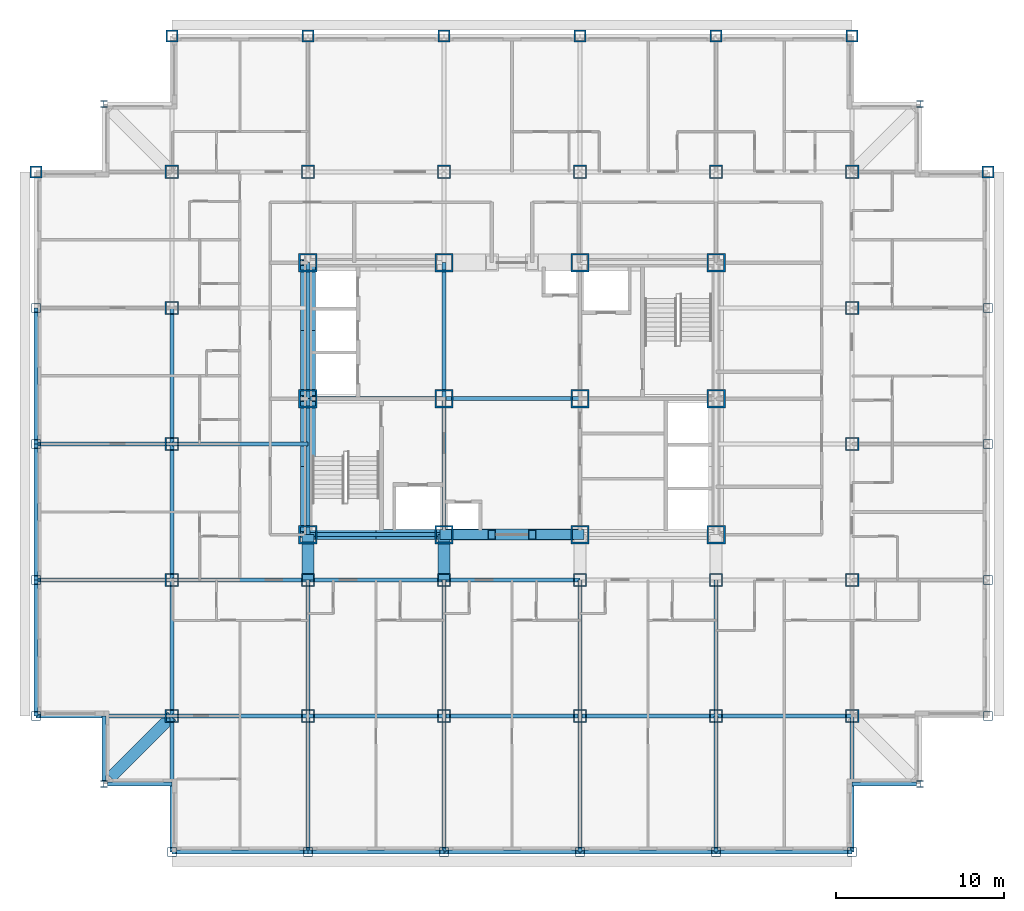
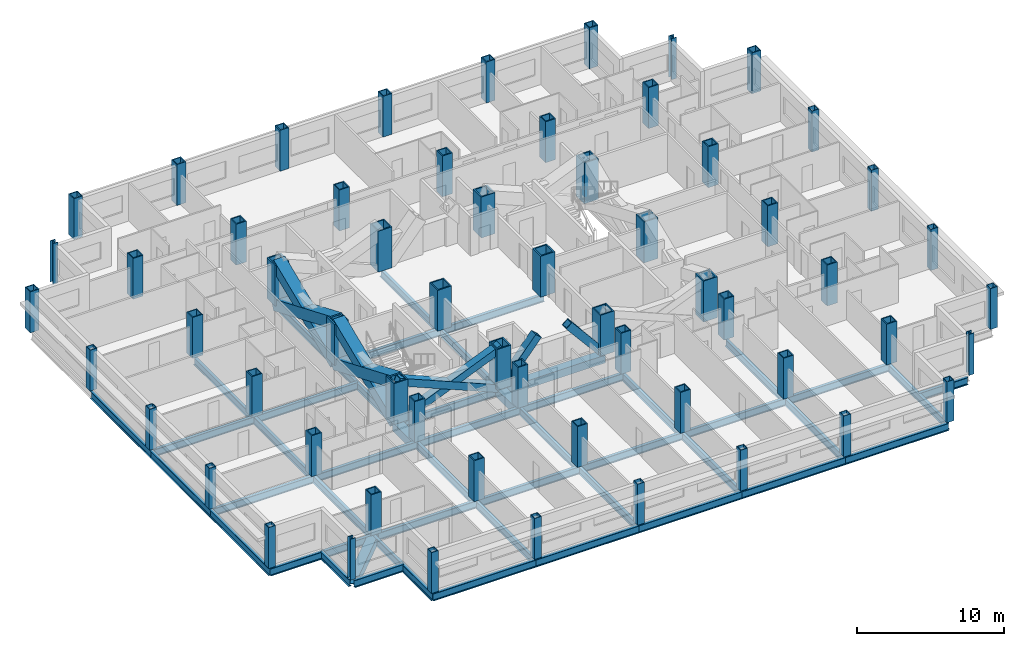
# One storey, part 1 of 12: 60 columns, 47 beams, 8 members.
"""IFC4 building model written with IfcOpenShell, lengths in metres."""

from ifc_helpers import new_model, si_unit, direction, frame, origin, origin_2d, place, context, subcontext, project, spatial, hollow_rectangle, i_section, extrude, material, material_profile, profile_set, type_object, element, save


model = new_model("IFC4")

# Units and contexts
model_context = context("Model", 3, precision=1e-05, world=origin(), true_north=direction((0.0, 1.0)))
body_context = subcontext(model_context, "Body", "Model", "MODEL_VIEW")
ifc_project = project(units=[si_unit("LENGTHUNIT", "METRE"), si_unit("AREAUNIT", "SQUARE_METRE"), si_unit("VOLUMEUNIT", "CUBIC_METRE"), si_unit("PLANEANGLEUNIT", "RADIAN"), si_unit("MASSUNIT", "GRAM", prefix="KILO")], contexts=[model_context])

# Site, building, storey
site_placement = place(None, origin())
site = spatial("IfcSite", under=ifc_project, at=site_placement, CompositionType="ELEMENT")
building_placement = place(site_placement, origin())
building = spatial("IfcBuilding", under=site, at=building_placement, Name="Kopane Lantern Tower", CompositionType="ELEMENT")
storey_placement = place(building_placement, frame((0.0, 0.0, 144.199951171875)))
storey = spatial("IfcBuildingStorey", under=building, at=storey_placement, Name="L37", CompositionType="ELEMENT", Elevation=144.199951171875)

# Columns
ifc_material_1 = material(Name="Steel S355JR", Category="steel")
ifc_material_profile_1 = material_profile(ifc_material_1, hollow_rectangle(XDim=1.10009765625, YDim=1.10009765625, WallThickness=0.10009765625, at=origin_2d()), Name="BOX 1100x1100x100")
ifc_profile_set_1 = profile_set([ifc_material_profile_1], Name="Steel S355JR")
column_type_1 = type_object("IfcColumnType", Name="COLUMN BOX 1100x1100x100", PredefinedType="COLUMN", material=ifc_profile_set_1)
for number, where, z_axis, x_axis, name in (
    (1, (16.199951171875, 24.300048828125, 0.0), (0.0, 0.0, 1.0), (1.0, 0.0, 0.0), "Column 4/E L37"),
    (2, (16.199951171875, 32.39990234375, 0.0), (0.0, 0.0, 1.0), (1.0, 0.0, 0.0), "Column 4/F L37"),
    (3, (16.199951171875, 40.5, 0.0), (0.0, 0.0, 1.0), (1.0, 0.0, 0.0), "Column 4/G L37"),
    (4, (24.300048828125, 24.300048828125, 0.0), (0.0, 0.0, 1.0), (1.0, 0.0, 0.0), "Column 5/E L37"),
    (5, (24.300048828125, 32.39990234375, 0.0), (0.0, 0.0, 1.0), (1.0, 0.0, 0.0), "Column 5/F L37"),
    (6, (24.300048828125, 40.5, 0.0), (0.0, 0.0, 1.0), (1.0, 0.0, 0.0), "Column 5/G L37"),
    (7, (32.39990234375, 24.300048828125, 0.0), (0.0, 0.0, 1.0), (1.0, 0.0, 0.0), "Column 6/E L37"),
    (8, (32.39990234375, 32.39990234375, 0.0), (0.0, 0.0, 1.0), (1.0, 0.0, 0.0), "Column 6/F L37"),
    (9, (32.39990234375, 40.5, 0.0), (0.0, 0.0, 1.0), (1.0, 0.0, 0.0), "Column 6/G L37"),
    (10, (40.5, 24.300048828125, 0.0), (0.0, 0.0, 1.0), (1.0, 0.0, 0.0), "Column 7/E L37"),
    (11, (40.5, 32.39990234375, 0.0), (0.0, 0.0, 1.0), (1.0, 0.0, 0.0), "Column 7/F L37"),
    (12, (40.5, 40.5, 0.0), (0.0, 0.0, 1.0), (1.0, 0.0, 0.0), "Column 7/G L37"),
):
    element("IfcColumn", number, at=place(storey_placement, frame(where, z_axis=z_axis, x_axis=x_axis)), inside=storey, type_object=column_type_1, Name=name, PredefinedType="COLUMN", context=body_context, shape_type="SweptSolid", body=[
        extrude(hollow_rectangle(XDim=1.10009765625, YDim=1.10009765625, WallThickness=0.10009765625, at=origin_2d()), origin(), (0.0, 0.0, 1.0), 3.400146484375),
    ])
ifc_material_2 = material(Name="Steel S355JR", Category="steel")
ifc_material_profile_2 = material_profile(ifc_material_2, hollow_rectangle(XDim=0.550048828125, YDim=0.550048828125, WallThickness=0.0400390625, at=origin_2d()), Name="BOX 550x550x40")
ifc_profile_set_2 = profile_set([ifc_material_profile_2], Name="Steel S355JR")
column_type_2 = type_object("IfcColumnType", Name="COLUMN BOX 550x550x40", PredefinedType="COLUMN", material=ifc_profile_set_2)
for number, where, z_axis, x_axis, name in (
    (13, (0.0, 13.5, 0.0), (0.0, 0.0, 1.0), (1.0, 0.0, 0.0), "Column 2/P2 L37"),
    (14, (0.0, 21.60009765625, 0.0), (0.0, 0.0, 1.0), (1.0, 0.0, 0.0), "Column 2/P3 L37"),
    (15, (0.0, 29.699951171875, 0.0), (0.0, 0.0, 1.0), (1.0, 0.0, 0.0), "Column 2/P4 L37"),
    (16, (0.0, 37.800048828125, 0.0), (0.0, 0.0, 1.0), (1.0, 0.0, 0.0), "Column 2/P5 L37"),
    (17, (8.10009765625, 5.39990234375, 0.0), (0.0, 0.0, 1.0), (1.0, 0.0, 0.0), "Column 3/P1 L37"),
    (18, (16.199951171875, 5.39990234375, 0.0), (0.0, 0.0, 1.0), (1.0, 0.0, 0.0), "Column 4/P1 L37"),
    (19, (24.300048828125, 5.39990234375, 0.0), (0.0, 0.0, 1.0), (1.0, 0.0, 0.0), "Column 5/P1 L37"),
    (20, (32.39990234375, 5.39990234375, 0.0), (0.0, 0.0, 1.0), (1.0, 0.0, 0.0), "Column 6/P1 L37"),
    (21, (40.5, 5.39990234375, 0.0), (0.0, 0.0, 1.0), (1.0, 0.0, 0.0), "Column 7/P1 L37"),
    (22, (48.60009765625, 5.39990234375, 0.0), (0.0, 0.0, 1.0), (1.0, 0.0, 0.0), "Column 8/P1 L37"),
    (23, (56.699951171875, 13.5, 0.0), (0.0, 0.0, 1.0), (1.0, 0.0, 0.0), "Column 9/P2 L37"),
    (24, (56.699951171875, 21.60009765625, 0.0), (0.0, 0.0, 1.0), (1.0, 0.0, 0.0), "Column 9/P3 L37"),
    (25, (56.699951171875, 29.699951171875, 0.0), (0.0, 0.0, 1.0), (1.0, 0.0, 0.0), "Column 9/P4 L37"),
    (26, (56.699951171875, 37.800048828125, 0.0), (0.0, 0.0, 1.0), (1.0, 0.0, 0.0), "Column 9/P5 L37"),
):
    element("IfcColumn", number, at=place(storey_placement, frame(where, z_axis=z_axis, x_axis=x_axis)), inside=storey, type_object=column_type_2, Name=name, PredefinedType="COLUMN", context=body_context, shape_type="SweptSolid", body=[
        extrude(hollow_rectangle(XDim=0.550048828125, YDim=0.550048828125, WallThickness=0.0400390625, at=origin_2d()), origin(), (0.0, 0.0, 1.0), 3.400146484375),
    ])
ifc_material_3 = material(Name="Steel S355JR", Category="steel")
ifc_material_profile_3 = material_profile(ifc_material_3, hollow_rectangle(XDim=0.699951171875, YDim=0.699951171875, WallThickness=0.070068359375, at=origin_2d()), Name="BOX 700x700x70")
ifc_profile_set_3 = profile_set([ifc_material_profile_3], Name="Steel S355JR")
column_type_3 = type_object("IfcColumnType", Name="COLUMN BOX 700x700x70", PredefinedType="COLUMN", material=ifc_profile_set_3)
for number, where, z_axis, x_axis, name in (
    (27, (0.0, 45.89990234375, 0.0), (0.0, 0.0, 1.0), (1.0, 0.0, 0.0), "Column 2/P6 L37"),
    (28, (8.10009765625, 54.0, 0.0), (0.0, 0.0, 1.0), (1.0, 0.0, 0.0), "Column 3/P7 L37"),
    (29, (16.199951171875, 54.0, 0.0), (0.0, 0.0, 1.0), (1.0, 0.0, 0.0), "Column 4/P7 L37"),
    (30, (24.300048828125, 54.0, 0.0), (0.0, 0.0, 1.0), (1.0, 0.0, 0.0), "Column 5/P7 L37"),
    (31, (32.39990234375, 54.0, 0.0), (0.0, 0.0, 1.0), (1.0, 0.0, 0.0), "Column 6/P7 L37"),
    (32, (40.5, 54.0, 0.0), (0.0, 0.0, 1.0), (1.0, 0.0, 0.0), "Column 7/P7 L37"),
    (33, (48.60009765625, 54.0, 0.0), (0.0, 0.0, 1.0), (1.0, 0.0, 0.0), "Column 8/P7 L37"),
    (34, (56.699951171875, 45.89990234375, 0.0), (0.0, 0.0, 1.0), (1.0, 0.0, 0.0), "Column 9/P6 L37"),
):
    element("IfcColumn", number, at=place(storey_placement, frame(where, z_axis=z_axis, x_axis=x_axis)), inside=storey, type_object=column_type_3, Name=name, PredefinedType="COLUMN", context=body_context, shape_type="SweptSolid", body=[
        extrude(hollow_rectangle(XDim=0.699951171875, YDim=0.699951171875, WallThickness=0.070068359375, at=origin_2d()), origin(), (0.0, 0.0, 1.0), 3.400146484375),
    ])
ifc_material_4 = material(Name="Steel S355JR", Category="steel")
ifc_material_profile_4 = material_profile(ifc_material_4, hollow_rectangle(XDim=0.800048828125, YDim=0.800048828125, WallThickness=0.080078125, at=origin_2d()), Name="BOX 800x800x80")
ifc_profile_set_4 = profile_set([ifc_material_profile_4], Name="Steel S355JR")
column_type_4 = type_object("IfcColumnType", Name="COLUMN BOX 800x800x80", PredefinedType="COLUMN", material=ifc_profile_set_4)
for number, where, z_axis, x_axis, name in (
    (35, (8.10009765625, 13.5, 0.0), (0.0, 0.0, 1.0), (1.0, 0.0, 0.0), "Column 3/P2 L37"),
    (36, (8.10009765625, 21.60009765625, 0.0), (0.0, 0.0, 1.0), (1.0, 0.0, 0.0), "Column 3/P3 L37"),
    (37, (8.10009765625, 29.699951171875, 0.0), (0.0, 0.0, 1.0), (1.0, 0.0, 0.0), "Column 3/P4 L37"),
    (38, (8.10009765625, 37.800048828125, 0.0), (0.0, 0.0, 1.0), (1.0, 0.0, 0.0), "Column 3/P5 L37"),
    (39, (8.10009765625, 45.89990234375, 0.0), (0.0, 0.0, 1.0), (1.0, 0.0, 0.0), "Column 3/P6 L37"),
    (40, (16.199951171875, 13.5, 0.0), (0.0, 0.0, 1.0), (1.0, 0.0, 0.0), "Column 4/P2 L37"),
    (41, (16.199951171875, 21.60009765625, 0.0), (0.0, 0.0, 1.0), (1.0, 0.0, 0.0), "Column 4/P3 L37"),
    (42, (16.199951171875, 45.89990234375, 0.0), (0.0, 0.0, 1.0), (1.0, 0.0, 0.0), "Column 4/P6 L37"),
    (43, (24.300048828125, 13.5, 0.0), (0.0, 0.0, 1.0), (1.0, 0.0, 0.0), "Column 5/P2 L37"),
    (44, (24.300048828125, 21.60009765625, 0.0), (0.0, 0.0, 1.0), (1.0, 0.0, 0.0), "Column 5/P3 L37"),
    (45, (24.300048828125, 45.89990234375, 0.0), (0.0, 0.0, 1.0), (1.0, 0.0, 0.0), "Column 5/P6 L37"),
    (46, (32.39990234375, 13.5, 0.0), (0.0, 0.0, 1.0), (1.0, 0.0, 0.0), "Column 6/P2 L37"),
    (47, (32.39990234375, 21.60009765625, 0.0), (0.0, 0.0, 1.0), (1.0, 0.0, 0.0), "Column 6/P3 L37"),
    (48, (32.39990234375, 45.89990234375, 0.0), (0.0, 0.0, 1.0), (1.0, 0.0, 0.0), "Column 6/P6 L37"),
    (49, (40.5, 13.5, 0.0), (0.0, 0.0, 1.0), (1.0, 0.0, 0.0), "Column 7/P2 L37"),
    (50, (40.5, 21.60009765625, 0.0), (0.0, 0.0, 1.0), (1.0, 0.0, 0.0), "Column 7/P3 L37"),
    (51, (40.5, 45.89990234375, 0.0), (0.0, 0.0, 1.0), (1.0, 0.0, 0.0), "Column 7/P6 L37"),
    (52, (48.60009765625, 13.5, 0.0), (0.0, 0.0, 1.0), (1.0, 0.0, 0.0), "Column 8/P2 L37"),
    (53, (48.60009765625, 21.60009765625, 0.0), (0.0, 0.0, 1.0), (1.0, 0.0, 0.0), "Column 8/P3 L37"),
    (54, (48.60009765625, 29.699951171875, 0.0), (0.0, 0.0, 1.0), (1.0, 0.0, 0.0), "Column 8/P4 L37"),
    (55, (48.60009765625, 37.800048828125, 0.0), (0.0, 0.0, 1.0), (1.0, 0.0, 0.0), "Column 8/P5 L37"),
    (56, (48.60009765625, 45.89990234375, 0.0), (0.0, 0.0, 1.0), (1.0, 0.0, 0.0), "Column 8/P6 L37"),
):
    element("IfcColumn", number, at=place(storey_placement, frame(where, z_axis=z_axis, x_axis=x_axis)), inside=storey, type_object=column_type_4, Name=name, PredefinedType="COLUMN", context=body_context, shape_type="SweptSolid", body=[
        extrude(hollow_rectangle(XDim=0.800048828125, YDim=0.800048828125, WallThickness=0.080078125, at=origin_2d()), origin(), (0.0, 0.0, 1.0), 3.400146484375),
    ])
ifc_material_5 = material(Name="Steel S355JR", Category="steel")
ifc_material_profile_5 = material_profile(ifc_material_5, i_section(OverallWidth=0.406982421875, OverallDepth=0.4189453125, WebThickness=0.030517578125, FlangeThickness=0.04931640625, FilletRadius=0.01513671875, at=origin_2d()), Name="UC 356x406x393")
ifc_profile_set_5 = profile_set([ifc_material_profile_5], Name="Steel S355JR")
column_type_5 = type_object("IfcColumnType", Name="COLUMN UC 356x406x393", PredefinedType="COLUMN", material=ifc_profile_set_5)
for number, where, z_axis, x_axis, name in (
    (57, (4.050048828125, 9.449951171875, 0.0), (0.0, 0.0, 1.0), (1.0, 0.0, 0.0), "Column 4.05/9.45 L37"),
    (58, (4.050048828125, 49.949951171875, 0.0), (0.0, 0.0, 1.0), (1.0, 0.0, 0.0), "Column 4.05/49.95 L37"),
    (59, (52.64990234375, 9.449951171875, 0.0), (0.0, 0.0, 1.0), (1.0, 0.0, 0.0), "Column 52.65/9.45 L37"),
    (60, (52.64990234375, 49.949951171875, 0.0), (0.0, 0.0, 1.0), (1.0, 0.0, 0.0), "Column 52.65/49.95 L37"),
):
    element("IfcColumn", number, at=place(storey_placement, frame(where, z_axis=z_axis, x_axis=x_axis)), inside=storey, type_object=column_type_5, Name=name, PredefinedType="COLUMN", context=body_context, shape_type="SweptSolid", body=[
        extrude(i_section(OverallWidth=0.406982421875, OverallDepth=0.4189453125, WebThickness=0.030517578125, FlangeThickness=0.04931640625, FilletRadius=0.01513671875, at=origin_2d()), origin(), (0.0, 0.0, 1.0), 3.400146484375),
    ])

# Members
ifc_material_6 = material(Name="Steel S355JR", Category="steel")
ifc_material_profile_6 = material_profile(ifc_material_6, hollow_rectangle(XDim=0.60009765625, YDim=0.60009765625, WallThickness=0.050048828125, at=origin_2d()), Name="BOX 600x600x50")
ifc_profile_set_6 = profile_set([ifc_material_profile_6], Name="Steel S355JR")
member_type_1 = type_object("IfcMemberType", Name="BRACE BOX 600x600x50", PredefinedType="BRACE", material=ifc_profile_set_6)
for number, where, z_axis, x_axis, name in (
    (61, (16.199951171875, 24.300048828125, -0.2099609375), (0.922069000757, 0.0, 0.387025526088), (0.0, 1.0, 0.0), "Core brace L37"),
    (62, (24.300048828125, 24.300048828125, -0.2099609375), (-0.922069000757, 0.0, 0.387025526088), (0.0, -1.0, 0.0), "Core brace L37"),
):
    element("IfcMember", number, at=place(storey_placement, frame(where, z_axis=z_axis, x_axis=x_axis)), inside=storey, type_object=member_type_1, Name=name, PredefinedType="BRACE", context=body_context, shape_type="SweptSolid", body=[
        extrude(hollow_rectangle(XDim=0.60009765625, YDim=0.60009765625, WallThickness=0.050048828125, at=origin_2d()), origin(), (0.0, 0.0, 1.0), 8.78466796875),
    ])
for number, where, z_axis, x_axis, name in (
    (63, (24.300048828125, 24.300048828125, -0.2099609375), (0.642390257445, 0.0, 0.7663776857), (0.0, 1.0, 0.0), "Core brace L37"),
    (64, (32.39990234375, 24.300048828125, -0.2099609375), (-0.642390257445, 0.0, 0.7663776857), (0.0, -1.0, 0.0), "Core brace L37"),
):
    element("IfcMember", number, at=place(storey_placement, frame(where, z_axis=z_axis, x_axis=x_axis)), inside=storey, type_object=member_type_1, Name=name, PredefinedType="BRACE", context=body_context, shape_type="SweptSolid", body=[
        extrude(hollow_rectangle(XDim=0.60009765625, YDim=0.60009765625, WallThickness=0.050048828125, at=origin_2d()), origin(), (0.0, 0.0, 1.0), 4.436279296875),
    ])
ifc_material_7 = material(Name="Steel S355JR", Category="steel")
ifc_material_profile_7 = material_profile(ifc_material_7, hollow_rectangle(XDim=0.89990234375, YDim=0.89990234375, WallThickness=0.090087890625, at=origin_2d()), Name="BOX 900x900x90")
ifc_profile_set_7 = profile_set([ifc_material_profile_7], Name="Steel S355JR")
member_type_2 = type_object("IfcMemberType", Name="BRACE BOX 900x900x90", PredefinedType="BRACE", material=ifc_profile_set_7)
for number, where, z_axis, x_axis, name in (
    (65, (16.199951171875, 24.300048828125, -0.2099609375), (0.0, 0.922064837731, 0.38703544414), (-1.0, 0.0, 0.0), "Core brace L37"),
    (66, (16.199951171875, 32.39990234375, -0.2099609375), (0.0, -0.922064837731, 0.38703544414), (1.0, 0.0, 0.0), "Core brace L37"),
):
    element("IfcMember", number, at=place(storey_placement, frame(where, z_axis=z_axis, x_axis=x_axis)), inside=storey, type_object=member_type_2, Name=name, PredefinedType="BRACE", context=body_context, shape_type="SweptSolid", body=[
        extrude(hollow_rectangle(XDim=0.89990234375, YDim=0.89990234375, WallThickness=0.090087890625, at=origin_2d()), origin(), (0.0, 0.0, 1.0), 8.784423828125),
    ])
for number, where, z_axis, x_axis, name in (
    (67, (16.199951171875, 32.39990234375, -0.2099609375), (0.0, 0.922069000757, 0.387025526088), (-1.0, 0.0, 0.0), "Core brace L37"),
    (68, (16.199951171875, 40.5, -0.2099609375), (0.0, -0.922069000757, 0.387025526088), (1.0, 0.0, 0.0), "Core brace L37"),
):
    element("IfcMember", number, at=place(storey_placement, frame(where, z_axis=z_axis, x_axis=x_axis)), inside=storey, type_object=member_type_2, Name=name, PredefinedType="BRACE", context=body_context, shape_type="SweptSolid", body=[
        extrude(hollow_rectangle(XDim=0.89990234375, YDim=0.89990234375, WallThickness=0.090087890625, at=origin_2d()), origin(), (0.0, 0.0, 1.0), 8.78466796875),
    ])

# Beams
ifc_material_8 = material(Name="Steel S355JR", Category="steel")
ifc_material_profile_8 = material_profile(ifc_material_8, i_section(OverallWidth=0.22900390625, OverallDepth=0.6123046875, WebThickness=0.011962890625, FlangeThickness=0.01953125, FilletRadius=0.0126953125, at=origin_2d()), Name="UB 610x229x125")
ifc_profile_set_8 = profile_set([ifc_material_profile_8], Name="Steel S355JR")
beam_type_1 = type_object("IfcBeamType", Name="CORE BEAM UB 610x229x125", PredefinedType="BEAM", material=ifc_profile_set_8)
beam_1_placement = place(storey_placement, frame((16.199951171875, 32.39990234375, -0.51611328125), z_axis=(1.0, 0.0, 0.0), x_axis=(0.0, 1.0, 0.0)))
element("IfcBeam", 69, at=beam_1_placement, inside=storey, type_object=beam_type_1, Name="Core Beam L37", PredefinedType="BEAM", context=body_context, shape_type="SweptSolid", body=[
    extrude(i_section(OverallWidth=0.22900390625, OverallDepth=0.6123046875, WebThickness=0.011962890625, FlangeThickness=0.01953125, FilletRadius=0.0126953125, at=origin_2d()), origin(), (0.0, 0.0, 1.0), 8.10009765625),
])
beam_2_placement = place(storey_placement, frame((24.300048828125, 24.300048828125, -0.51611328125), z_axis=(0.0, 1.0, 0.0), x_axis=(-1.0, 0.0, 0.0)))
element("IfcBeam", 70, at=beam_2_placement, inside=storey, type_object=beam_type_1, Name="Core Beam L37", PredefinedType="BEAM", context=body_context, shape_type="SweptSolid", body=[
    extrude(i_section(OverallWidth=0.22900390625, OverallDepth=0.6123046875, WebThickness=0.011962890625, FlangeThickness=0.01953125, FilletRadius=0.0126953125, at=origin_2d()), origin(), (0.0, 0.0, 1.0), 8.099853515625),
])
beam_3_placement = place(storey_placement, frame((24.300048828125, 32.39990234375, -0.51611328125), z_axis=(0.0, 1.0, 0.0), x_axis=(-1.0, 0.0, 0.0)))
element("IfcBeam", 71, at=beam_3_placement, inside=storey, type_object=beam_type_1, Name="Core Beam L37", PredefinedType="BEAM", context=body_context, shape_type="SweptSolid", body=[
    extrude(i_section(OverallWidth=0.22900390625, OverallDepth=0.6123046875, WebThickness=0.011962890625, FlangeThickness=0.01953125, FilletRadius=0.0126953125, at=origin_2d()), origin(), (0.0, 0.0, 1.0), 8.10009765625),
])
beam_4_placement = place(storey_placement, frame((24.300048828125, 32.39990234375, -0.51611328125), z_axis=(1.0, 0.0, 0.0), x_axis=(0.0, 1.0, 0.0)))
element("IfcBeam", 72, at=beam_4_placement, inside=storey, type_object=beam_type_1, Name="Core Beam L37", PredefinedType="BEAM", context=body_context, shape_type="SweptSolid", body=[
    extrude(i_section(OverallWidth=0.22900390625, OverallDepth=0.6123046875, WebThickness=0.011962890625, FlangeThickness=0.01953125, FilletRadius=0.0126953125, at=origin_2d()), origin(), (0.0, 0.0, 1.0), 8.099853515625),
])
ifc_material_9 = material(Name="Steel S355JR", Category="steel")
ifc_material_profile_9 = material_profile(ifc_material_9, hollow_rectangle(XDim=0.699951171875, YDim=0.699951171875, WallThickness=0.06005859375, at=origin_2d()), Name="BOX 700x700x60")
ifc_profile_set_9 = profile_set([ifc_material_profile_9], Name="Steel S355JR")
beam_type_2 = type_object("IfcBeamType", Name="CORNER TIE BEAM BOX 700x700x60", PredefinedType="BEAM", material=ifc_profile_set_9)
beam_5_placement = place(storey_placement, frame((4.447509765625, 9.847412109375, -0.56005859375), z_axis=(0.707106781187, 0.707106781187, 0.0), x_axis=(-0.707106781187, 0.707106781187, 0.0)))
element("IfcBeam", 73, at=beam_5_placement, inside=storey, type_object=beam_type_2, Name="Corner Tie Beam L37", PredefinedType="BEAM", context=body_context, shape_type="SweptSolid", body=[
    extrude(hollow_rectangle(XDim=0.699951171875, YDim=0.699951171875, WallThickness=0.06005859375, at=origin_2d()), origin(), (0.0, 0.0, 1.0), 5.16552734375),
])
ifc_material_10 = material(Name="Steel S355JR", Category="steel")
ifc_material_profile_10 = material_profile(ifc_material_10, i_section(OverallWidth=0.22900390625, OverallDepth=0.6123046875, WebThickness=0.011962890625, FlangeThickness=0.01953125, FilletRadius=0.0126953125, at=origin_2d()), Name="UB 610x229x125")
ifc_profile_set_10 = profile_set([ifc_material_profile_10], Name="Steel S355JR")
beam_type_3 = type_object("IfcBeamType", Name="EDGE BEAM UB 610x229x125", PredefinedType="BEAM", material=ifc_profile_set_10)
beam_6_placement = place(storey_placement, frame((4.050048828125, 9.653564453125, -0.51611328125), z_axis=(0.0, 1.0, 0.0), x_axis=(-1.0, 0.0, 0.0)))
element("IfcBeam", 74, at=beam_6_placement, inside=storey, type_object=beam_type_3, Name="Edge Beam L37", PredefinedType="BEAM", context=body_context, shape_type="SweptSolid", body=[
    extrude(i_section(OverallWidth=0.22900390625, OverallDepth=0.6123046875, WebThickness=0.011962890625, FlangeThickness=0.01953125, FilletRadius=0.0126953125, at=origin_2d()), origin(), (0.0, 0.0, 1.0), 3.846435546875),
])
beam_7_placement = place(storey_placement, frame((4.25341796875, 9.449951171875, -0.51611328125), z_axis=(1.0, 0.0, 0.0), x_axis=(0.0, 1.0, 0.0)))
element("IfcBeam", 75, at=beam_7_placement, inside=storey, type_object=beam_type_3, Name="Edge Beam L37", PredefinedType="BEAM", context=body_context, shape_type="SweptSolid", body=[
    extrude(i_section(OverallWidth=0.22900390625, OverallDepth=0.6123046875, WebThickness=0.011962890625, FlangeThickness=0.01953125, FilletRadius=0.0126953125, at=origin_2d()), origin(), (0.0, 0.0, 1.0), 3.8466796875),
])
beam_8_placement = place(storey_placement, frame((52.446533203125, 9.449951171875, -0.51611328125), z_axis=(-1.0, 0.0, 0.0), x_axis=(0.0, -1.0, 0.0)))
element("IfcBeam", 76, at=beam_8_placement, inside=storey, type_object=beam_type_3, Name="Edge Beam L37", PredefinedType="BEAM", context=body_context, shape_type="SweptSolid", body=[
    extrude(i_section(OverallWidth=0.22900390625, OverallDepth=0.6123046875, WebThickness=0.011962890625, FlangeThickness=0.01953125, FilletRadius=0.0126953125, at=origin_2d()), origin(), (0.0, 0.0, 1.0), 3.846435546875),
])
ifc_material_11 = material(Name="Steel S355JR", Category="steel")
ifc_material_profile_11 = material_profile(ifc_material_11, hollow_rectangle(XDim=0.699951171875, YDim=0.699951171875, WallThickness=0.06005859375, at=origin_2d()), Name="BOX 700x700x60")
ifc_profile_set_11 = profile_set([ifc_material_profile_11], Name="Steel S355JR")
beam_type_4 = type_object("IfcBeamType", Name="GIRDER BOX 700x700x60", PredefinedType="BEAM", material=ifc_profile_set_11)
for number, where, z_axis, x_axis, name in (
    (77, (16.199951171875, 21.60009765625, -0.56005859375), (0.0, 1.0, 0.0), (-1.0, 0.0, 0.0), "Girder L37"),
    (78, (24.300048828125, 21.60009765625, -0.56005859375), (0.0, 1.0, 0.0), (-1.0, 0.0, 0.0), "Girder L37"),
):
    element("IfcBeam", number, at=place(storey_placement, frame(where, z_axis=z_axis, x_axis=x_axis)), inside=storey, type_object=beam_type_4, Name=name, PredefinedType="BEAM", context=body_context, shape_type="SweptSolid", body=[
        extrude(hollow_rectangle(XDim=0.699951171875, YDim=0.699951171875, WallThickness=0.06005859375, at=origin_2d()), origin(), (0.0, 0.0, 1.0), 2.699951171875),
    ])
ifc_material_12 = material(Name="Steel S355JR", Category="steel")
ifc_material_profile_12 = material_profile(ifc_material_12, i_section(OverallWidth=0.22900390625, OverallDepth=0.6123046875, WebThickness=0.011962890625, FlangeThickness=0.01953125, FilletRadius=0.0126953125, at=origin_2d()), Name="UB 610x229x125")
ifc_profile_set_12 = profile_set([ifc_material_profile_12], Name="Steel S355JR")
beam_type_5 = type_object("IfcBeamType", Name="GIRDER UB 610x229x125", PredefinedType="BEAM", material=ifc_profile_set_12)
for number, where, z_axis, x_axis, name in (
    (79, (0.0, 13.5, -0.51611328125), (0.0, 1.0, 0.0), (-1.0, 0.0, 0.0), "Girder L37"),
    (80, (0.0, 13.5, -0.51611328125), (1.0, 0.0, 0.0), (0.0, 1.0, 0.0), "Girder L37"),
):
    element("IfcBeam", number, at=place(storey_placement, frame(where, z_axis=z_axis, x_axis=x_axis)), inside=storey, type_object=beam_type_5, Name=name, PredefinedType="BEAM", context=body_context, shape_type="SweptSolid", body=[
        extrude(i_section(OverallWidth=0.22900390625, OverallDepth=0.6123046875, WebThickness=0.011962890625, FlangeThickness=0.01953125, FilletRadius=0.0126953125, at=origin_2d()), origin(), (0.0, 0.0, 1.0), 8.10009765625),
    ])
beam_9_placement = place(storey_placement, frame((0.0, 21.60009765625, -0.51611328125), z_axis=(0.0, 1.0, 0.0), x_axis=(-1.0, 0.0, 0.0)))
element("IfcBeam", 81, at=beam_9_placement, inside=storey, type_object=beam_type_5, Name="Girder L37", PredefinedType="BEAM", context=body_context, shape_type="SweptSolid", body=[
    extrude(i_section(OverallWidth=0.22900390625, OverallDepth=0.6123046875, WebThickness=0.011962890625, FlangeThickness=0.01953125, FilletRadius=0.0126953125, at=origin_2d()), origin(), (0.0, 0.0, 1.0), 8.099853515625),
])
for number, where, z_axis, x_axis, name in (
    (82, (0.0, 21.60009765625, -0.51611328125), (1.0, 0.0, 0.0), (0.0, 1.0, 0.0), "Girder L37"),
    (83, (0.0, 29.699951171875, -0.51611328125), (0.0, 1.0, 0.0), (-1.0, 0.0, 0.0), "Girder L37"),
    (84, (0.0, 29.699951171875, -0.51611328125), (1.0, 0.0, 0.0), (0.0, 1.0, 0.0), "Girder L37"),
    (85, (8.10009765625, 5.39990234375, -0.51611328125), (0.0, 1.0, 0.0), (-1.0, 0.0, 0.0), "Girder L37"),
):
    element("IfcBeam", number, at=place(storey_placement, frame(where, z_axis=z_axis, x_axis=x_axis)), inside=storey, type_object=beam_type_5, Name=name, PredefinedType="BEAM", context=body_context, shape_type="SweptSolid", body=[
        extrude(i_section(OverallWidth=0.22900390625, OverallDepth=0.6123046875, WebThickness=0.011962890625, FlangeThickness=0.01953125, FilletRadius=0.0126953125, at=origin_2d()), origin(), (0.0, 0.0, 1.0), 8.10009765625),
    ])
beam_10_placement = place(storey_placement, frame((8.10009765625, 5.39990234375, -0.51611328125), z_axis=(1.0, 0.0, 0.0), x_axis=(0.0, 1.0, 0.0)))
element("IfcBeam", 86, at=beam_10_placement, inside=storey, type_object=beam_type_5, Name="Girder L37", PredefinedType="BEAM", context=body_context, shape_type="SweptSolid", body=[
    extrude(i_section(OverallWidth=0.22900390625, OverallDepth=0.6123046875, WebThickness=0.011962890625, FlangeThickness=0.01953125, FilletRadius=0.0126953125, at=origin_2d()), origin(), (0.0, 0.0, 1.0), 8.099853515625),
])
beam_11_placement = place(storey_placement, frame((8.10009765625, 13.5, -0.51611328125), z_axis=(0.0, 1.0, 0.0), x_axis=(-1.0, 0.0, 0.0)))
element("IfcBeam", 87, at=beam_11_placement, inside=storey, type_object=beam_type_5, Name="Girder L37", PredefinedType="BEAM", context=body_context, shape_type="SweptSolid", body=[
    extrude(i_section(OverallWidth=0.22900390625, OverallDepth=0.6123046875, WebThickness=0.011962890625, FlangeThickness=0.01953125, FilletRadius=0.0126953125, at=origin_2d()), origin(), (0.0, 0.0, 1.0), 8.10009765625),
])
for number, where, z_axis, x_axis, name in (
    (88, (8.10009765625, 13.5, -0.51611328125), (1.0, 0.0, 0.0), (0.0, 1.0, 0.0), "Girder L37"),
    (89, (8.10009765625, 21.60009765625, -0.51611328125), (0.0, 1.0, 0.0), (-1.0, 0.0, 0.0), "Girder L37"),
    (90, (8.10009765625, 21.60009765625, -0.51611328125), (1.0, 0.0, 0.0), (0.0, 1.0, 0.0), "Girder L37"),
):
    element("IfcBeam", number, at=place(storey_placement, frame(where, z_axis=z_axis, x_axis=x_axis)), inside=storey, type_object=beam_type_5, Name=name, PredefinedType="BEAM", context=body_context, shape_type="SweptSolid", body=[
        extrude(i_section(OverallWidth=0.22900390625, OverallDepth=0.6123046875, WebThickness=0.011962890625, FlangeThickness=0.01953125, FilletRadius=0.0126953125, at=origin_2d()), origin(), (0.0, 0.0, 1.0), 8.099853515625),
    ])
beam_12_placement = place(storey_placement, frame((8.10009765625, 29.699951171875, -0.51611328125), z_axis=(0.0, 1.0, 0.0), x_axis=(-1.0, 0.0, 0.0)))
element("IfcBeam", 91, at=beam_12_placement, inside=storey, type_object=beam_type_5, Name="Girder L37", PredefinedType="BEAM", context=body_context, shape_type="SweptSolid", body=[
    extrude(i_section(OverallWidth=0.22900390625, OverallDepth=0.6123046875, WebThickness=0.011962890625, FlangeThickness=0.01953125, FilletRadius=0.0126953125, at=origin_2d()), origin(), (0.0, 0.0, 1.0), 8.10009765625),
])
beam_13_placement = place(storey_placement, frame((8.10009765625, 29.699951171875, -0.51611328125), z_axis=(1.0, 0.0, 0.0), x_axis=(0.0, 1.0, 0.0)))
element("IfcBeam", 92, at=beam_13_placement, inside=storey, type_object=beam_type_5, Name="Girder L37", PredefinedType="BEAM", context=body_context, shape_type="SweptSolid", body=[
    extrude(i_section(OverallWidth=0.22900390625, OverallDepth=0.6123046875, WebThickness=0.011962890625, FlangeThickness=0.01953125, FilletRadius=0.0126953125, at=origin_2d()), origin(), (0.0, 0.0, 1.0), 8.099853515625),
])
for number, where, z_axis, x_axis, name in (
    (93, (16.199951171875, 5.39990234375, -0.51611328125), (0.0, 1.0, 0.0), (-1.0, 0.0, 0.0), "Girder L37"),
    (94, (16.199951171875, 5.39990234375, -0.51611328125), (1.0, 0.0, 0.0), (0.0, 1.0, 0.0), "Girder L37"),
    (95, (16.199951171875, 13.5, -0.51611328125), (0.0, 1.0, 0.0), (-1.0, 0.0, 0.0), "Girder L37"),
    (96, (16.199951171875, 13.5, -0.51611328125), (1.0, 0.0, 0.0), (0.0, 1.0, 0.0), "Girder L37"),
    (97, (16.199951171875, 21.60009765625, -0.51611328125), (1.0, 0.0, 0.0), (0.0, 1.0, 0.0), "Girder L37"),
):
    element("IfcBeam", number, at=place(storey_placement, frame(where, z_axis=z_axis, x_axis=x_axis)), inside=storey, type_object=beam_type_5, Name=name, PredefinedType="BEAM", context=body_context, shape_type="SweptSolid", body=[
        extrude(i_section(OverallWidth=0.22900390625, OverallDepth=0.6123046875, WebThickness=0.011962890625, FlangeThickness=0.01953125, FilletRadius=0.0126953125, at=origin_2d()), origin(), (0.0, 0.0, 1.0), 8.10009765625),
    ])
beam_14_placement = place(storey_placement, frame((16.199951171875, 24.300048828125, -0.51611328125), z_axis=(0.0, 1.0, 0.0), x_axis=(-1.0, 0.0, 0.0)))
element("IfcBeam", 98, at=beam_14_placement, inside=storey, type_object=beam_type_5, Name="Girder L37", PredefinedType="BEAM", context=body_context, shape_type="SweptSolid", body=[
    extrude(i_section(OverallWidth=0.22900390625, OverallDepth=0.6123046875, WebThickness=0.011962890625, FlangeThickness=0.01953125, FilletRadius=0.0126953125, at=origin_2d()), origin(), (0.0, 0.0, 1.0), 8.099853515625),
])
for number, where, z_axis, x_axis, name in (
    (99, (16.199951171875, 24.300048828125, -0.51611328125), (1.0, 0.0, 0.0), (0.0, 1.0, 0.0), "Girder L37"),
    (100, (16.199951171875, 32.39990234375, -0.51611328125), (0.0, 1.0, 0.0), (-1.0, 0.0, 0.0), "Girder L37"),
    (101, (24.300048828125, 5.39990234375, -0.51611328125), (0.0, 1.0, 0.0), (-1.0, 0.0, 0.0), "Girder L37"),
):
    element("IfcBeam", number, at=place(storey_placement, frame(where, z_axis=z_axis, x_axis=x_axis)), inside=storey, type_object=beam_type_5, Name=name, PredefinedType="BEAM", context=body_context, shape_type="SweptSolid", body=[
        extrude(i_section(OverallWidth=0.22900390625, OverallDepth=0.6123046875, WebThickness=0.011962890625, FlangeThickness=0.01953125, FilletRadius=0.0126953125, at=origin_2d()), origin(), (0.0, 0.0, 1.0), 8.10009765625),
    ])
beam_15_placement = place(storey_placement, frame((24.300048828125, 5.39990234375, -0.51611328125), z_axis=(1.0, 0.0, 0.0), x_axis=(0.0, 1.0, 0.0)))
element("IfcBeam", 102, at=beam_15_placement, inside=storey, type_object=beam_type_5, Name="Girder L37", PredefinedType="BEAM", context=body_context, shape_type="SweptSolid", body=[
    extrude(i_section(OverallWidth=0.22900390625, OverallDepth=0.6123046875, WebThickness=0.011962890625, FlangeThickness=0.01953125, FilletRadius=0.0126953125, at=origin_2d()), origin(), (0.0, 0.0, 1.0), 8.099853515625),
])
beam_16_placement = place(storey_placement, frame((24.300048828125, 13.5, -0.51611328125), z_axis=(0.0, 1.0, 0.0), x_axis=(-1.0, 0.0, 0.0)))
element("IfcBeam", 103, at=beam_16_placement, inside=storey, type_object=beam_type_5, Name="Girder L37", PredefinedType="BEAM", context=body_context, shape_type="SweptSolid", body=[
    extrude(i_section(OverallWidth=0.22900390625, OverallDepth=0.6123046875, WebThickness=0.011962890625, FlangeThickness=0.01953125, FilletRadius=0.0126953125, at=origin_2d()), origin(), (0.0, 0.0, 1.0), 8.10009765625),
])
for number, where, z_axis, x_axis, name in (
    (104, (24.300048828125, 13.5, -0.51611328125), (1.0, 0.0, 0.0), (0.0, 1.0, 0.0), "Girder L37"),
    (105, (24.300048828125, 21.60009765625, -0.51611328125), (1.0, 0.0, 0.0), (0.0, 1.0, 0.0), "Girder L37"),
):
    element("IfcBeam", number, at=place(storey_placement, frame(where, z_axis=z_axis, x_axis=x_axis)), inside=storey, type_object=beam_type_5, Name=name, PredefinedType="BEAM", context=body_context, shape_type="SweptSolid", body=[
        extrude(i_section(OverallWidth=0.22900390625, OverallDepth=0.6123046875, WebThickness=0.011962890625, FlangeThickness=0.01953125, FilletRadius=0.0126953125, at=origin_2d()), origin(), (0.0, 0.0, 1.0), 8.099853515625),
    ])
for number, where, z_axis, x_axis, name in (
    (106, (32.39990234375, 5.39990234375, -0.51611328125), (0.0, 1.0, 0.0), (-1.0, 0.0, 0.0), "Girder L37"),
    (107, (32.39990234375, 5.39990234375, -0.51611328125), (1.0, 0.0, 0.0), (0.0, 1.0, 0.0), "Girder L37"),
    (108, (32.39990234375, 13.5, -0.51611328125), (0.0, 1.0, 0.0), (-1.0, 0.0, 0.0), "Girder L37"),
    (109, (32.39990234375, 13.5, -0.51611328125), (1.0, 0.0, 0.0), (0.0, 1.0, 0.0), "Girder L37"),
    (110, (40.5, 5.39990234375, -0.51611328125), (0.0, 1.0, 0.0), (-1.0, 0.0, 0.0), "Girder L37"),
    (111, (40.5, 5.39990234375, -0.51611328125), (1.0, 0.0, 0.0), (0.0, 1.0, 0.0), "Girder L37"),
    (112, (40.5, 13.5, -0.51611328125), (0.0, 1.0, 0.0), (-1.0, 0.0, 0.0), "Girder L37"),
    (113, (40.5, 13.5, -0.51611328125), (1.0, 0.0, 0.0), (0.0, 1.0, 0.0), "Girder L37"),
    (114, (48.60009765625, 5.39990234375, -0.51611328125), (0.0, 1.0, 0.0), (-1.0, 0.0, 0.0), "Girder L37"),
):
    element("IfcBeam", number, at=place(storey_placement, frame(where, z_axis=z_axis, x_axis=x_axis)), inside=storey, type_object=beam_type_5, Name=name, PredefinedType="BEAM", context=body_context, shape_type="SweptSolid", body=[
        extrude(i_section(OverallWidth=0.22900390625, OverallDepth=0.6123046875, WebThickness=0.011962890625, FlangeThickness=0.01953125, FilletRadius=0.0126953125, at=origin_2d()), origin(), (0.0, 0.0, 1.0), 8.10009765625),
    ])
ifc_material_13 = material(Name="Steel S355JR", Category="steel")
ifc_material_profile_13 = material_profile(ifc_material_13, hollow_rectangle(XDim=0.64990234375, YDim=0.64990234375, WallThickness=0.070068359375, at=origin_2d()), Name="BOX 650x650x70")
ifc_profile_set_13 = profile_set([ifc_material_profile_13], Name="Steel S355JR")
beam_type_6 = type_object("IfcBeamType", Name="LINK BEAM BOX 650x650x70", PredefinedType="BEAM", material=ifc_profile_set_13)
beam_17_placement = place(storey_placement, frame((24.300048828125, 24.300048828125, -0.534912109375), z_axis=(1.0, 0.0, 0.0), x_axis=(0.0, 1.0, 0.0)))
element("IfcBeam", 115, at=beam_17_placement, inside=storey, type_object=beam_type_6, Name="Link Beam L37", PredefinedType="BEAM", context=body_context, shape_type="SweptSolid", body=[
    extrude(hollow_rectangle(XDim=0.64990234375, YDim=0.64990234375, WallThickness=0.070068359375, at=origin_2d()), origin(), (0.0, 0.0, 1.0), 8.099853515625),
])

save(model, "model.ifc")
